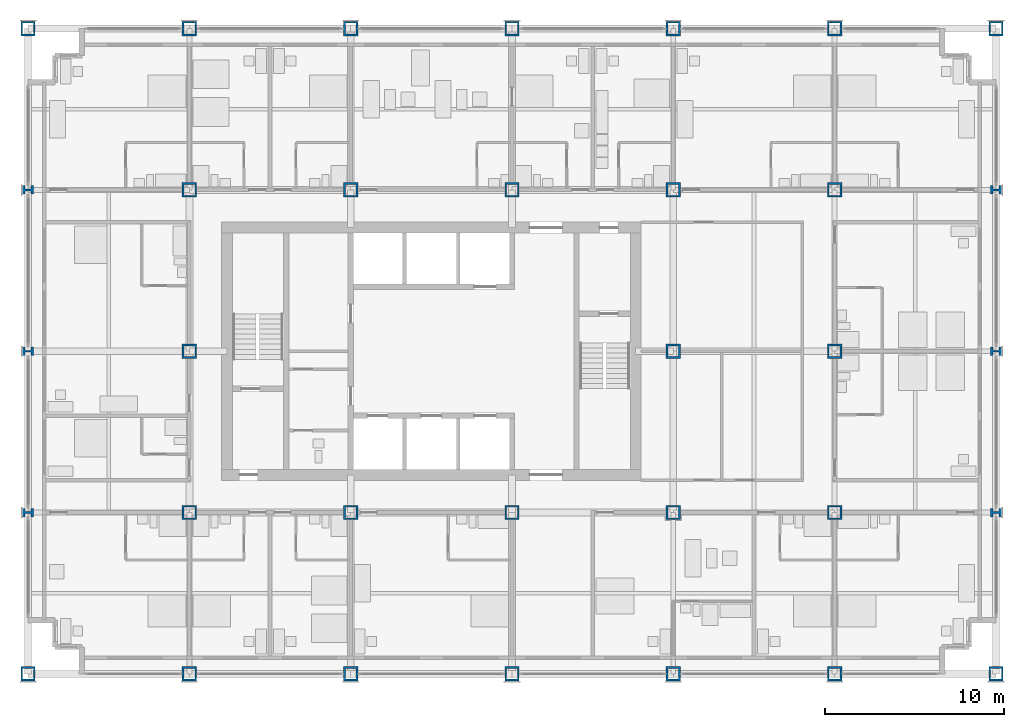
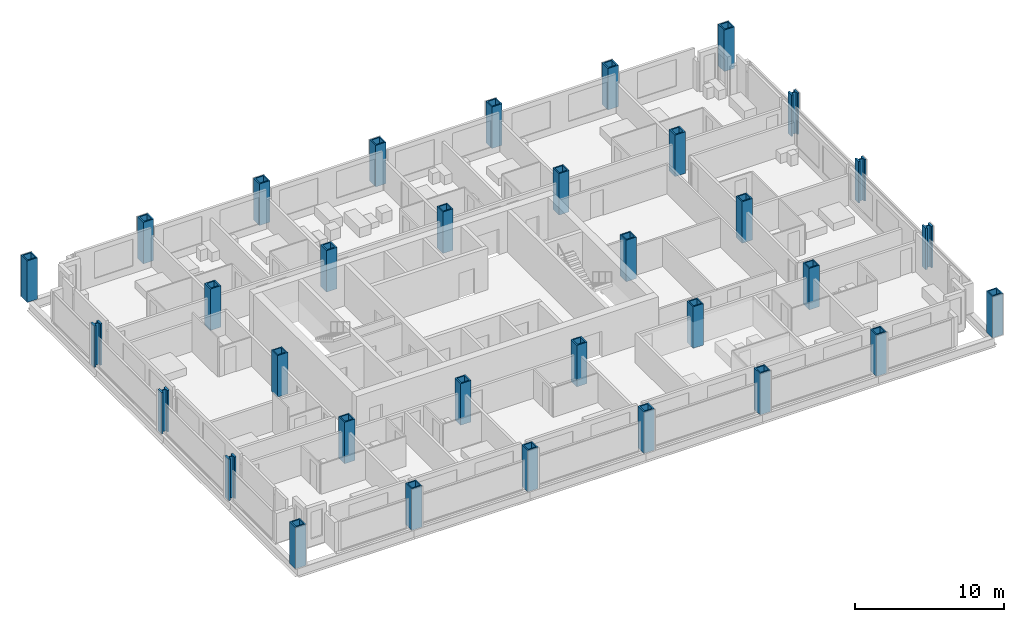
# One storey, part 1 of 18: 33 columns.
"""IFC4 building model written with IfcOpenShell, lengths in metres."""

from ifc_helpers import new_model, si_unit, direction, frame, origin, origin_2d, place, context, subcontext, project, spatial, hollow_rectangle, i_section, extrude, material, material_profile, profile_set, type_object, element, save


model = new_model("IFC4")

# Units and contexts
model_context = context("Model", 3, precision=1e-05, world=origin(), true_north=direction((0.0, 1.0)))
body_context = subcontext(model_context, "Body", "Model", "MODEL_VIEW")
ifc_project = project(units=[si_unit("LENGTHUNIT", "METRE"), si_unit("AREAUNIT", "SQUARE_METRE"), si_unit("VOLUMEUNIT", "CUBIC_METRE"), si_unit("PLANEANGLEUNIT", "RADIAN"), si_unit("MASSUNIT", "GRAM", prefix="KILO")], contexts=[model_context])

# Site, building, storey
site_placement = place(None, origin())
site = spatial("IfcSite", under=ifc_project, at=site_placement, CompositionType="ELEMENT")
building_placement = place(site_placement, origin())
building = spatial("IfcBuilding", under=site, at=building_placement, Name="Loomwork Tower", CompositionType="ELEMENT")
storey_placement = place(building_placement, frame((0.0, 0.0, 34.800048828125)))
storey = spatial("IfcBuildingStorey", under=building, at=storey_placement, Name="L07", CompositionType="ELEMENT", Elevation=34.800048828125)

# Columns
ifc_material_1 = material(Name="Steel ASTM A572 Grade 50 plate", Category="steel")
ifc_material_profile_1 = material_profile(ifc_material_1, hollow_rectangle(XDim=0.800048828125, YDim=0.800048828125, WallThickness=0.10009765625, at=origin_2d()), Name="BOX800x100")
ifc_profile_set_1 = profile_set([ifc_material_profile_1], Name="Steel ASTM A572 Grade 50 plate")
column_type_1 = type_object("IfcColumnType", Name="EXOSKELETON PIER BOX800x100", PredefinedType="COLUMN", material=ifc_profile_set_1)
for number, where, z_axis, x_axis, name in (
    (1, (0.0, 0.0, 0.0), (0.0, 0.0, 1.0), (1.0, 0.0, 0.0), "Exoskeleton Pier D/2 L07"),
    (2, (0.0, 36.0, 0.0), (0.0, 0.0, 1.0), (1.0, 0.0, 0.0), "Exoskeleton Pier H/2 L07"),
    (3, (9.0, 0.0, 0.0), (0.0, 0.0, 1.0), (1.0, 0.0, 0.0), "Exoskeleton Pier D/3 L07"),
    (4, (9.0, 36.0, 0.0), (0.0, 0.0, 1.0), (1.0, 0.0, 0.0), "Exoskeleton Pier H/3 L07"),
    (5, (18.0, 0.0, 0.0), (0.0, 0.0, 1.0), (1.0, 0.0, 0.0), "Exoskeleton Pier D/4 L07"),
    (6, (18.0, 36.0, 0.0), (0.0, 0.0, 1.0), (1.0, 0.0, 0.0), "Exoskeleton Pier H/4 L07"),
    (7, (27.0, 0.0, 0.0), (0.0, 0.0, 1.0), (1.0, 0.0, 0.0), "Exoskeleton Pier D/5 L07"),
    (8, (27.0, 36.0, 0.0), (0.0, 0.0, 1.0), (1.0, 0.0, 0.0), "Exoskeleton Pier H/5 L07"),
    (9, (36.0, 0.0, 0.0), (0.0, 0.0, 1.0), (1.0, 0.0, 0.0), "Exoskeleton Pier D/6 L07"),
    (10, (36.0, 36.0, 0.0), (0.0, 0.0, 1.0), (1.0, 0.0, 0.0), "Exoskeleton Pier H/6 L07"),
    (11, (45.0, 0.0, 0.0), (0.0, 0.0, 1.0), (1.0, 0.0, 0.0), "Exoskeleton Pier D/7 L07"),
    (12, (45.0, 36.0, 0.0), (0.0, 0.0, 1.0), (1.0, 0.0, 0.0), "Exoskeleton Pier H/7 L07"),
    (13, (54.0, 0.0, 0.0), (0.0, 0.0, 1.0), (1.0, 0.0, 0.0), "Exoskeleton Pier D/8 L07"),
    (14, (54.0, 36.0, 0.0), (0.0, 0.0, 1.0), (1.0, 0.0, 0.0), "Exoskeleton Pier H/8 L07"),
):
    element("IfcColumn", number, at=place(storey_placement, frame(where, z_axis=z_axis, x_axis=x_axis)), inside=storey, type_object=column_type_1, Name=name, PredefinedType="COLUMN", context=body_context, shape_type="SweptSolid", body=[
        extrude(hollow_rectangle(XDim=0.800048828125, YDim=0.800048828125, WallThickness=0.10009765625, at=origin_2d()), origin(), (0.0, 0.0, 1.0), 3.39990234375),
    ])
ifc_material_2 = material(Name="Steel ASTM A992", Category="steel")
ifc_material_profile_2 = material_profile(ifc_material_2, i_section(OverallWidth=0.4775390625, OverallDepth=0.599365234375, WebThickness=0.10009765625, FlangeThickness=0.139892578125, at=origin_2d()), Name="W14x873")
ifc_profile_set_2 = profile_set([ifc_material_profile_2], Name="Steel ASTM A992")
column_type_2 = type_object("IfcColumnType", Name="EXOSKELETON PIER W14x873", PredefinedType="COLUMN", material=ifc_profile_set_2)
for number, where, z_axis, x_axis, name in (
    (15, (0.0, 9.0, 0.0), (0.0, 0.0, 1.0), (0.0, 1.0, 0.0), "Exoskeleton Pier E/2 L07"),
    (16, (0.0, 18.0, 0.0), (0.0, 0.0, 1.0), (0.0, 1.0, 0.0), "Exoskeleton Pier F/2 L07"),
    (17, (0.0, 27.0, 0.0), (0.0, 0.0, 1.0), (0.0, 1.0, 0.0), "Exoskeleton Pier G/2 L07"),
    (18, (54.0, 9.0, 0.0), (0.0, 0.0, 1.0), (0.0, 1.0, 0.0), "Exoskeleton Pier E/8 L07"),
    (19, (54.0, 18.0, 0.0), (0.0, 0.0, 1.0), (0.0, 1.0, 0.0), "Exoskeleton Pier F/8 L07"),
    (20, (54.0, 27.0, 0.0), (0.0, 0.0, 1.0), (0.0, 1.0, 0.0), "Exoskeleton Pier G/8 L07"),
):
    element("IfcColumn", number, at=place(storey_placement, frame(where, z_axis=z_axis, x_axis=x_axis)), inside=storey, type_object=column_type_2, Name=name, PredefinedType="COLUMN", context=body_context, shape_type="SweptSolid", body=[
        extrude(i_section(OverallWidth=0.4775390625, OverallDepth=0.599365234375, WebThickness=0.10009765625, FlangeThickness=0.139892578125, at=origin_2d()), origin(), (0.0, 0.0, 1.0), 3.39990234375),
    ])
ifc_material_3 = material(Name="Steel ASTM A572 Grade 50 plate", Category="steel")
ifc_material_profile_3 = material_profile(ifc_material_3, hollow_rectangle(XDim=0.800048828125, YDim=0.800048828125, WallThickness=0.10009765625, at=origin_2d()), Name="BOX800x100")
ifc_profile_set_3 = profile_set([ifc_material_profile_3], Name="Steel ASTM A572 Grade 50 plate")
column_type_3 = type_object("IfcColumnType", Name="TOWER COLUMN BOX800x100", PredefinedType="COLUMN", material=ifc_profile_set_3)
for number, where, z_axis, x_axis, name in (
    (21, (9.0, 9.0, 0.0), (0.0, 0.0, 1.0), (1.0, 0.0, 0.0), "Tower Column E/3 L07"),
    (22, (9.0, 18.0, 0.0), (0.0, 0.0, 1.0), (1.0, 0.0, 0.0), "Tower Column F/3 L07"),
    (23, (9.0, 27.0, 0.0), (0.0, 0.0, 1.0), (1.0, 0.0, 0.0), "Tower Column G/3 L07"),
    (24, (18.0, 9.0, 0.0), (0.0, 0.0, 1.0), (1.0, 0.0, 0.0), "Tower Column E/4 L07"),
    (25, (18.0, 27.0, 0.0), (0.0, 0.0, 1.0), (1.0, 0.0, 0.0), "Tower Column G/4 L07"),
    (26, (27.0, 9.0, 0.0), (0.0, 0.0, 1.0), (1.0, 0.0, 0.0), "Tower Column E/5 L07"),
    (27, (27.0, 27.0, 0.0), (0.0, 0.0, 1.0), (1.0, 0.0, 0.0), "Tower Column G/5 L07"),
    (28, (36.0, 9.0, 0.0), (0.0, 0.0, 1.0), (0.0, 1.0, 0.0), "Tower Column E/6 L07"),
    (29, (36.0, 18.0, 0.0), (0.0, 0.0, 1.0), (0.0, 1.0, 0.0), "Tower Column F/6 L07"),
    (30, (36.0, 27.0, 0.0), (0.0, 0.0, 1.0), (1.0, 0.0, 0.0), "Tower Column G/6 L07"),
    (31, (45.0, 9.0, 0.0), (0.0, 0.0, 1.0), (0.0, 1.0, 0.0), "Tower Column E/7 L07"),
    (32, (45.0, 18.0, 0.0), (0.0, 0.0, 1.0), (0.0, 1.0, 0.0), "Tower Column F/7 L07"),
    (33, (45.0, 27.0, 0.0), (0.0, 0.0, 1.0), (0.0, 1.0, 0.0), "Tower Column G/7 L07"),
):
    element("IfcColumn", number, at=place(storey_placement, frame(where, z_axis=z_axis, x_axis=x_axis)), inside=storey, type_object=column_type_3, Name=name, PredefinedType="COLUMN", context=body_context, shape_type="SweptSolid", body=[
        extrude(hollow_rectangle(XDim=0.800048828125, YDim=0.800048828125, WallThickness=0.10009765625, at=origin_2d()), origin(), (0.0, 0.0, 1.0), 3.39990234375),
    ])

save(model, "model.ifc")
